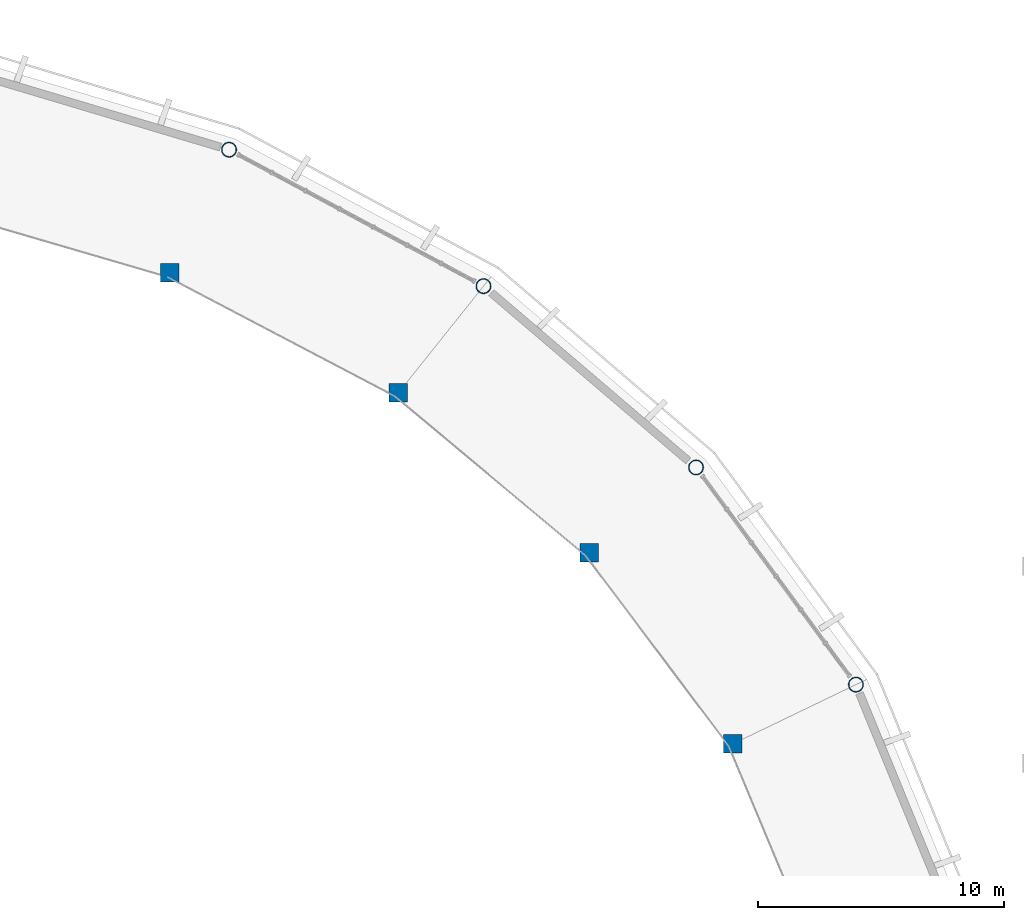
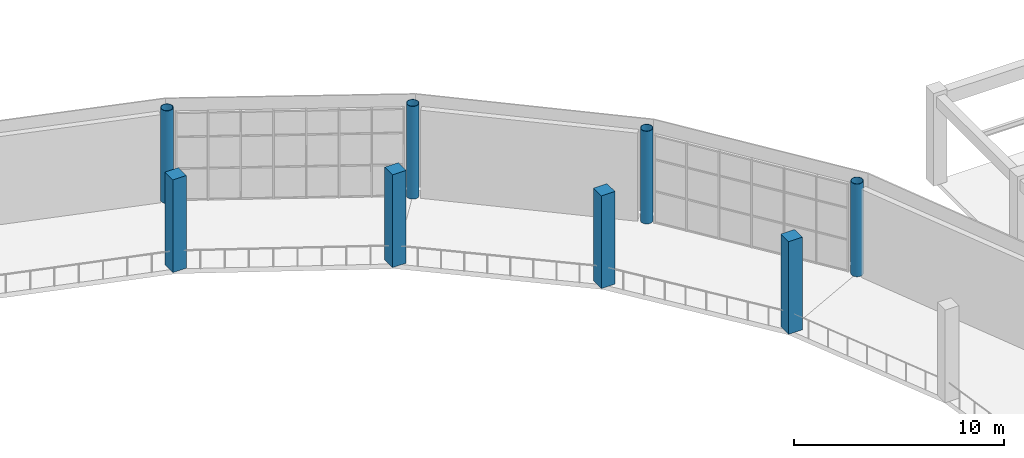
# One storey, part 6 of 40: 8 columns.
"""IFC4 building model written with IfcOpenShell, lengths in metres."""

from ifc_helpers import new_model, si_unit, direction, frame, origin, origin_2d, place, context, subcontext, project, spatial, rectangle, hollow_circle, extrude, material, material_profile, profile_set, type_object, element, save


model = new_model("IFC4")

# Units and contexts
model_context = context("Model", 3, precision=1e-05, world=origin(), true_north=direction((0.0, 1.0)))
body_context = subcontext(model_context, "Body", "Model", "MODEL_VIEW")
ifc_project = project(units=[si_unit("LENGTHUNIT", "METRE"), si_unit("AREAUNIT", "SQUARE_METRE"), si_unit("VOLUMEUNIT", "CUBIC_METRE"), si_unit("PLANEANGLEUNIT", "RADIAN"), si_unit("MASSUNIT", "GRAM", prefix="KILO")], contexts=[model_context])

# Site, building, storey
site_placement = place(None, origin())
site = spatial("IfcSite", under=ifc_project, at=site_placement, CompositionType="ELEMENT")
building_placement = place(site_placement, origin())
building = spatial("IfcBuilding", under=site, at=building_placement, Name="Cuetzalor Civic Arena", CompositionType="ELEMENT")
storey_placement = place(building_placement, frame((0.0, 0.0, 26.39990234375)))
storey = spatial("IfcBuildingStorey", under=building, at=storey_placement, Name="L05", CompositionType="ELEMENT", Elevation=26.39990234375)

# Columns
ifc_material_1 = material(Name="Concrete C40/50", Category="concrete")
ifc_material_profile_1 = material_profile(ifc_material_1, rectangle(XDim=0.75, YDim=0.75, at=origin_2d()), Name="RC 750x750")
ifc_profile_set_1 = profile_set([ifc_material_profile_1], Name="Concrete C40/50")
column_type_1 = type_object("IfcColumnType", Name="ConcreteColumn_750", PredefinedType="COLUMN", material=ifc_profile_set_1)
for number, where, z_axis, x_axis, name in (
    (1, (44.1474609375, 17.789306640625, 0.0), (0.0, 0.0, 1.0), (1.0, 0.0, 0.0), "Column V1-REC-03 L05"),
    (2, (38.309814453125, 25.56298828125, 0.0), (0.0, 0.0, 1.0), (1.0, 0.0, 0.0), "Column V1-REC-04 L05"),
    (3, (30.551025390625, 32.05517578125, 0.0), (0.0, 0.0, 1.0), (1.0, 0.0, 0.0), "Column V1-REC-05 L05"),
    (4, (21.26025390625, 36.939697265625, 0.0), (0.0, 0.0, 1.0), (1.0, 0.0, 0.0), "Column V1-REC-06 L05"),
):
    element("IfcColumn", number, at=place(storey_placement, frame(where, z_axis=z_axis, x_axis=x_axis)), inside=storey, type_object=column_type_1, Name=name, PredefinedType="COLUMN", context=body_context, shape_type="SweptSolid", body=[
        extrude(rectangle(XDim=0.75, YDim=0.75, at=origin_2d()), origin(), (0.0, 0.0, 1.0), 5.400146484375),
    ])
ifc_material_2 = material(Name="Steel S355", Category="steel")
ifc_material_profile_2 = material_profile(ifc_material_2, hollow_circle(Radius=0.304931640625, WallThickness=0.02490234375, at=origin_2d()), Name="CHS 610x25")
ifc_profile_set_2 = profile_set([ifc_material_profile_2], Name="Steel S355")
column_type_2 = type_object("IfcColumnType", Name="SteelDomePylon_CHS610", PredefinedType="COLUMN", material=ifc_profile_set_2)
for number, where, z_axis, x_axis, name in (
    (5, (49.14794921875, 20.197265625, 0.0), (0.0, 0.0, 1.0), (1.0, 0.0, 0.0), "Column V1-PYL-03 L05"),
    (6, (42.64892578125, 29.0234375, 0.0), (0.0, 0.0, 1.0), (1.0, 0.0, 0.0), "Column V1-PYL-04 L05"),
    (7, (34.011474609375, 36.394287109375, 0.0), (0.0, 0.0, 1.0), (1.0, 0.0, 0.0), "Column V1-PYL-05 L05"),
    (8, (23.66845703125, 41.940185546875, 0.0), (0.0, 0.0, 1.0), (1.0, 0.0, 0.0), "Column V1-PYL-06 L05"),
):
    element("IfcColumn", number, at=place(storey_placement, frame(where, z_axis=z_axis, x_axis=x_axis)), inside=storey, type_object=column_type_2, Name=name, PredefinedType="COLUMN", context=body_context, shape_type="SweptSolid", body=[
        extrude(hollow_circle(Radius=0.304931640625, WallThickness=0.02490234375, at=origin_2d()), origin(), (0.0, 0.0, 1.0), 5.400146484375),
    ])

save(model, "model.ifc")
